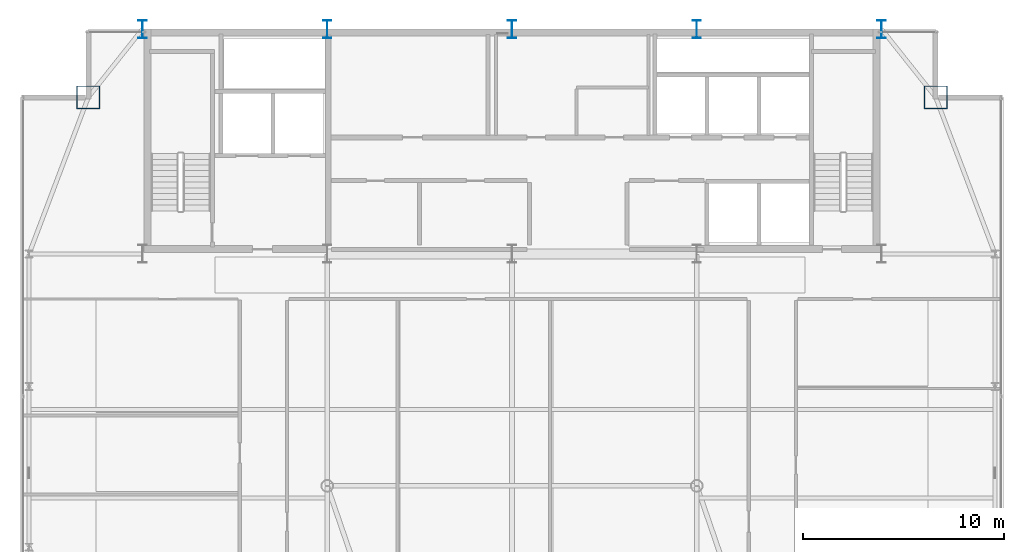
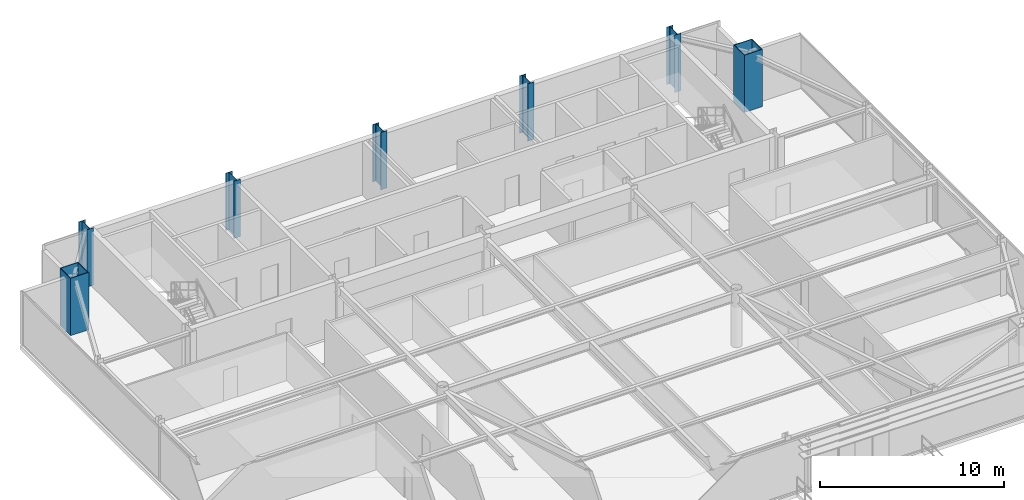
# One storey, part 3 of 30: 7 columns.
"""IFC4 building model written with IfcOpenShell, lengths in metres."""

from ifc_helpers import new_model, si_unit, direction, frame, origin, origin_2d, place, context, subcontext, project, spatial, hollow_rectangle, i_section, extrude, source, transform, mapped, material, material_profile, profile_set, type_object, type_shapes, element, save


model = new_model("IFC4")

# Units and contexts
model_context = context("Model", 3, precision=1e-05, world=origin(), true_north=direction((0.0, 1.0)))
body_context = subcontext(model_context, "Body", "Model", "MODEL_VIEW")
ifc_project = project(units=[si_unit("LENGTHUNIT", "METRE"), si_unit("AREAUNIT", "SQUARE_METRE"), si_unit("VOLUMEUNIT", "CUBIC_METRE"), si_unit("PLANEANGLEUNIT", "RADIAN"), si_unit("MASSUNIT", "GRAM", prefix="KILO")], contexts=[model_context])

# Site, building, storey
site_placement = place(None, origin())
site = spatial("IfcSite", under=ifc_project, at=site_placement, CompositionType="ELEMENT")
building_placement = place(site_placement, origin())
building = spatial("IfcBuilding", under=site, at=building_placement, Name="Varnel Quay Broadcast Tower", CompositionType="ELEMENT")
storey_placement = place(building_placement, frame((0.0, 0.0, 207.39990234375)))
storey = spatial("IfcBuildingStorey", under=building, at=storey_placement, Name="L51", CompositionType="ELEMENT", Elevation=207.39990234375)

# Columns
ifc_material = material(Name="Structural Steel CSA G40.21 350WT", Category="steel")
ifc_material_profile_1 = material_profile(ifc_material, i_section(OverallWidth=0.39990234375, OverallDepth=0.89990234375, WebThickness=0.01611328125, FlangeThickness=0.028076171875, FilletRadius=0.01611328125, at=origin_2d()), Name="WWF900X309")
ifc_profile_set_1 = profile_set([ifc_material_profile_1], Name="Structural Steel CSA G40.21 350WT")
column_type_1 = type_object("IfcColumnType", Name="Col_WWF900X309", PredefinedType="COLUMN", material=ifc_profile_set_1)
shared_shape_1 = source(origin(), body_context, "Body", "SweptSolid", [
    extrude(i_section(OverallWidth=0.39990234375, OverallDepth=0.89990234375, WebThickness=0.01611328125, FlangeThickness=0.028076171875, FilletRadius=0.01611328125, at=origin_2d()), origin(), (0.0, 0.0, 1.0), 3.800048828125),
])
type_shapes(column_type_1, [shared_shape_1])
for number, where, z_axis, x_axis, name in (
    (1, (15.60009765625, 46.800048828125, 0.0), (0.0, 0.0, 1.0), (1.0, 0.0, 0.0), "L51 Column CC-N1"),
    (2, (24.800048828125, 46.800048828125, 0.0), (0.0, 0.0, 1.0), (1.0, 0.0, 0.0), "L51 Column CC-N2"),
    (3, (34.0, 46.800048828125, 0.0), (0.0, 0.0, 1.0), (1.0, 0.0, 0.0), "L51 Column CC-N3"),
    (4, (43.199951171875, 46.800048828125, 0.0), (0.0, 0.0, 1.0), (1.0, 0.0, 0.0), "L51 Column CC-N4"),
    (5, (52.39990234375, 46.800048828125, 0.0), (0.0, 0.0, 1.0), (1.0, 0.0, 0.0), "L51 Column CC-N5"),
):
    element("IfcColumn", number, at=place(storey_placement, frame(where, z_axis=z_axis, x_axis=x_axis)), inside=storey, type_object=column_type_1, Name=name, PredefinedType="COLUMN", context=body_context, shape_type="MappedRepresentation", body=[
        mapped(shared_shape_1, transform((0.0, 0.0, 0.0), x_axis=(1.0, 0.0, 0.0), y_axis=(0.0, 1.0, 0.0), z_axis=(0.0, 0.0, 1.0), scale=1.0)),
    ])
ifc_material_profile_2 = material_profile(ifc_material, hollow_rectangle(XDim=1.14990234375, YDim=1.14990234375, WallThickness=0.044921875, at=origin_2d()), Name="BOX1150X1150X45")
ifc_profile_set_2 = profile_set([ifc_material_profile_2], Name="Structural Steel CSA G40.21 350WT")
column_type_2 = type_object("IfcColumnType", Name="Col_BOX1150X1150X45", PredefinedType="COLUMN", material=ifc_profile_set_2)
shared_shape_2 = source(origin(), body_context, "Body", "SweptSolid", [
    extrude(hollow_rectangle(XDim=1.14990234375, YDim=1.14990234375, WallThickness=0.044921875, at=origin_2d()), origin(), (0.0, 0.0, 1.0), 3.800048828125),
])
type_shapes(column_type_2, [shared_shape_2])
for number, where, z_axis, x_axis, name in (
    (6, (55.10009765625, 43.39990234375, 0.0), (0.0, 0.0, 1.0), (1.0, 0.0, 0.0), "L51 Column MC-NE"),
    (7, (12.89990234375, 43.39990234375, 0.0), (0.0, 0.0, 1.0), (1.0, 0.0, 0.0), "L51 Column MC-NW"),
):
    element("IfcColumn", number, at=place(storey_placement, frame(where, z_axis=z_axis, x_axis=x_axis)), inside=storey, type_object=column_type_2, Name=name, PredefinedType="COLUMN", context=body_context, shape_type="MappedRepresentation", body=[
        mapped(shared_shape_2, transform((0.0, 0.0, 0.0), x_axis=(1.0, 0.0, 0.0), y_axis=(0.0, 1.0, 0.0), z_axis=(0.0, 0.0, 1.0), scale=1.0)),
    ])

save(model, "model.ifc")
